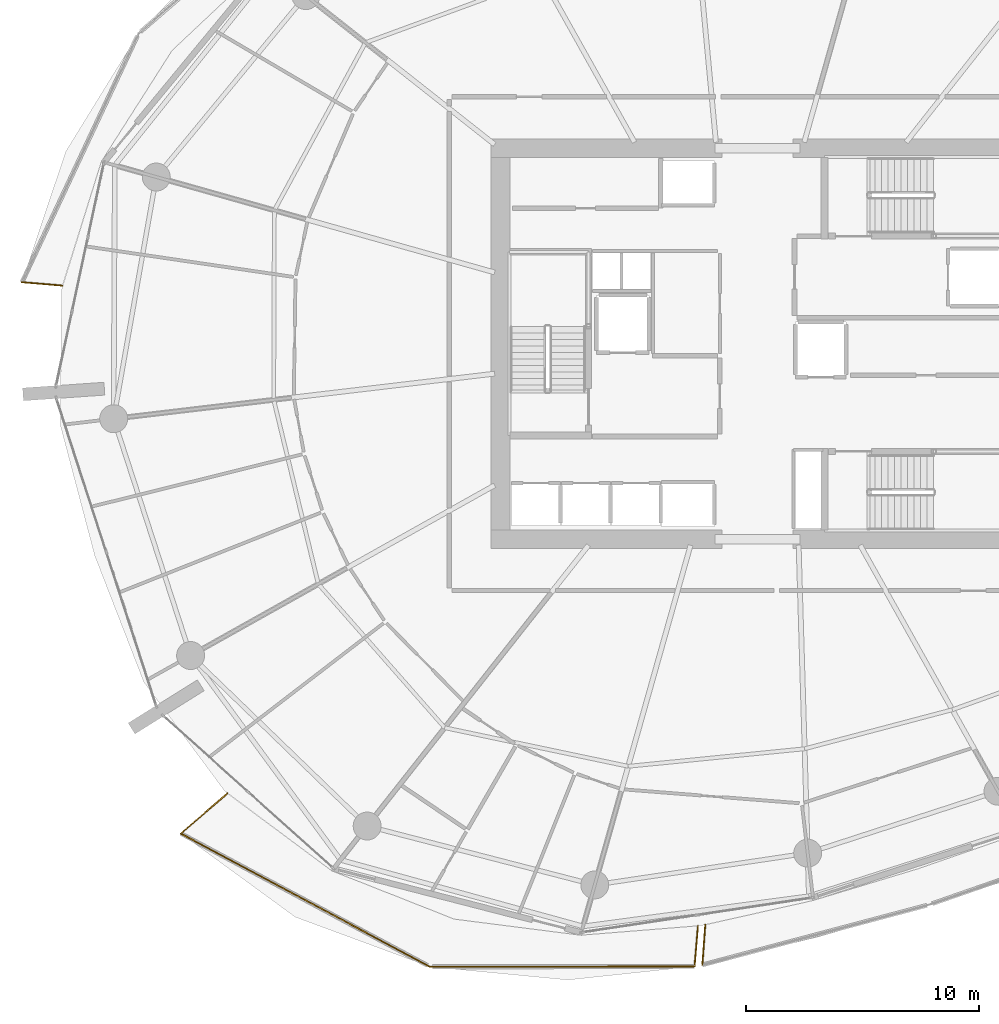
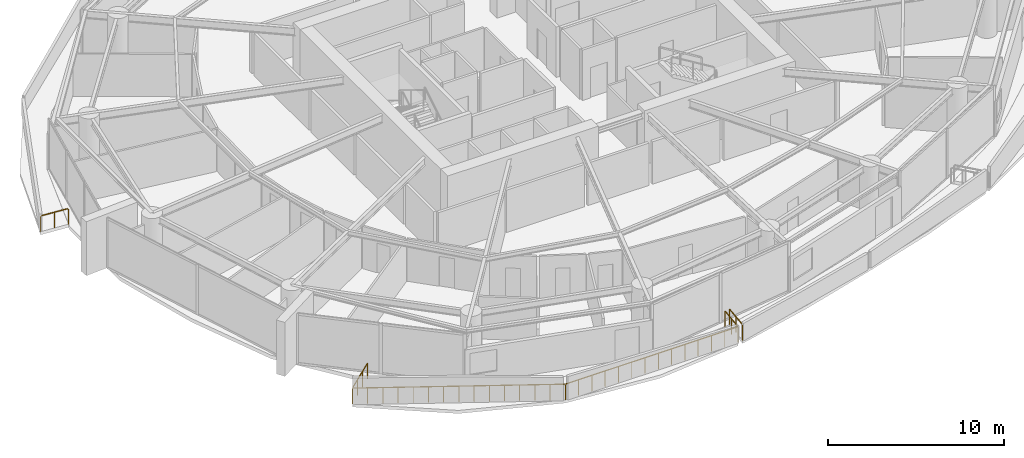
# One storey, part 16 of 22: 6 railings.
"""IFC4 building model written with IfcOpenShell, lengths in metres."""

from ifc_helpers import new_model, si_unit, direction, frame, origin, origin_2d, place, context, subcontext, project, spatial, rectangle, extrude, material, type_object, element, save


model = new_model("IFC4")

# Units and contexts
model_context = context("Model", 3, precision=1e-05, world=origin(), true_north=direction((0.0, 1.0)))
body_context = subcontext(model_context, "Body", "Model", "MODEL_VIEW")
ifc_project = project(units=[si_unit("LENGTHUNIT", "METRE"), si_unit("AREAUNIT", "SQUARE_METRE"), si_unit("VOLUMEUNIT", "CUBIC_METRE"), si_unit("PLANEANGLEUNIT", "RADIAN"), si_unit("MASSUNIT", "GRAM", prefix="KILO")], contexts=[model_context])

# Site, building, storey
site_placement = place(None, origin())
site = spatial("IfcSite", under=ifc_project, at=site_placement, CompositionType="ELEMENT")
building_placement = place(site_placement, origin())
building = spatial("IfcBuilding", under=site, at=building_placement, Name="Kazma Halo Residences", CompositionType="ELEMENT")
storey_placement = place(building_placement, frame((0.0, 0.0, 90.14990234375)))
storey = spatial("IfcBuildingStorey", under=building, at=storey_placement, Name="L22", CompositionType="ELEMENT", Elevation=90.14990234375)

# Railings
ifc_material = material(Name="Aluminium AW-6063 T6 Brushed Cap Rail", Category="aluminium")
railing_type = type_object("IfcRailingType", Name="RLG-BAL-CAP-1120", PredefinedType="BALUSTRADE", material=ifc_material)
railing_1_placement = place(storey_placement, frame((16.853759765625, 44.642822265625, 0.0)))
element("IfcRailing", 1, at=railing_1_placement, inside=storey, type_object=railing_type, Name="L22 NW wave balcony guard 4", PredefinedType="BALUSTRADE", context=body_context, shape_type="SweptSolid", body=[
    extrude(rectangle(XDim=0.050048828125, YDim=0.050048828125, at=origin_2d()), frame((0.04248046875, -0.003662109375, 1.09521484375), z_axis=(0.996414330449, -0.084607813322, 0.0), x_axis=(0.084607813322, 0.996414330449, 0.0)), (0.0, 0.0, 1.0), 1.66064453125),
    extrude(rectangle(XDim=0.0400390625, YDim=0.0400390625, at=origin_2d()), origin(), (0.0, 0.0, 1.0), 1.05810546875),
    extrude(rectangle(XDim=0.0400390625, YDim=0.0400390625, at=origin_2d()), frame((0.86962890625, -0.07373046875, 0.0)), (0.0, 0.0, 1.0), 1.05810546875),
    extrude(rectangle(XDim=0.0400390625, YDim=0.0400390625, at=origin_2d()), frame((1.739501953125, -0.147705078125, 0.0)), (0.0, 0.0, 1.0), 1.05810546875),
])
railing_2_placement = place(storey_placement, frame((25.676025390625, 22.696533203125, 0.0)))
element("IfcRailing", 2, at=railing_2_placement, inside=storey, type_object=railing_type, Name="L22 SW wave balcony guard 1", PredefinedType="BALUSTRADE", context=body_context, shape_type="SweptSolid", body=[
    extrude(rectangle(XDim=0.050048828125, YDim=0.050048828125, at=origin_2d()), frame((-0.0322265625, -0.02783203125, 1.09521484375), z_axis=(-0.756396561771, -0.65411332454, 0.0), x_axis=(0.65411332454, -0.756396561771, 0.0)), (0.0, 0.0, 1.0), 2.554931640625),
    extrude(rectangle(XDim=0.0400390625, YDim=0.0400390625, at=origin_2d()), origin(), (0.0, 0.0, 1.0), 1.05810546875),
    extrude(rectangle(XDim=0.0400390625, YDim=0.0400390625, at=origin_2d()), frame((-0.66552734375, -0.57568359375, 0.0)), (0.0, 0.0, 1.0), 1.05810546875),
    extrude(rectangle(XDim=0.0400390625, YDim=0.0400390625, at=origin_2d()), frame((-1.331298828125, -1.151123046875, 0.0)), (0.0, 0.0, 1.0), 1.05810546875),
    extrude(rectangle(XDim=0.0400390625, YDim=0.0400390625, at=origin_2d()), frame((-1.996826171875, -1.726806640625, 0.0)), (0.0, 0.0, 1.0), 1.05810546875),
])
railing_3_placement = place(storey_placement, frame((23.67919921875, 20.9697265625, 0.0)))
element("IfcRailing", 3, at=railing_3_placement, inside=storey, type_object=railing_type, Name="L22 SW wave balcony guard 2", PredefinedType="BALUSTRADE", context=body_context, shape_type="SweptSolid", body=[
    extrude(rectangle(XDim=0.050048828125, YDim=0.050048828125, at=origin_2d()), frame((0.03759765625, -0.02001953125, 1.09521484375), z_axis=(0.881760296775, -0.471697762377, 0.0), x_axis=(0.471697762377, 0.881760296775, 0.0)), (0.0, 0.0, 1.0), 12.039794921875),
    extrude(rectangle(XDim=0.0400390625, YDim=0.0400390625, at=origin_2d()), origin(), (0.0, 0.0, 1.0), 1.05810546875),
    extrude(rectangle(XDim=0.0400390625, YDim=0.0400390625, at=origin_2d()), frame((0.763671875, -0.408447265625, 0.0)), (0.0, 0.0, 1.0), 1.05810546875),
    extrude(rectangle(XDim=0.0400390625, YDim=0.0400390625, at=origin_2d()), frame((1.52734375, -0.817138671875, 0.0)), (0.0, 0.0, 1.0), 1.05810546875),
    extrude(rectangle(XDim=0.0400390625, YDim=0.0400390625, at=origin_2d()), frame((2.291015625, -1.2255859375, 0.0)), (0.0, 0.0, 1.0), 1.05810546875),
    extrude(rectangle(XDim=0.0400390625, YDim=0.0400390625, at=origin_2d()), frame((3.0546875, -1.634033203125, 0.0)), (0.0, 0.0, 1.0), 1.05810546875),
    extrude(rectangle(XDim=0.0400390625, YDim=0.0400390625, at=origin_2d()), frame((3.818359375, -2.04248046875, 0.0)), (0.0, 0.0, 1.0), 1.05810546875),
    extrude(rectangle(XDim=0.0400390625, YDim=0.0400390625, at=origin_2d()), frame((4.58203125, -2.451171875, 0.0)), (0.0, 0.0, 1.0), 1.05810546875),
    extrude(rectangle(XDim=0.0400390625, YDim=0.0400390625, at=origin_2d()), frame((5.345703125, -2.859619140625, 0.0)), (0.0, 0.0, 1.0), 1.05810546875),
    extrude(rectangle(XDim=0.0400390625, YDim=0.0400390625, at=origin_2d()), frame((6.109130859375, -3.26806640625, 0.0)), (0.0, 0.0, 1.0), 1.05810546875),
    extrude(rectangle(XDim=0.0400390625, YDim=0.0400390625, at=origin_2d()), frame((6.872802734375, -3.6767578125, 0.0)), (0.0, 0.0, 1.0), 1.05810546875),
    extrude(rectangle(XDim=0.0400390625, YDim=0.0400390625, at=origin_2d()), frame((7.636474609375, -4.085205078125, 0.0)), (0.0, 0.0, 1.0), 1.05810546875),
    extrude(rectangle(XDim=0.0400390625, YDim=0.0400390625, at=origin_2d()), frame((8.400146484375, -4.49365234375, 0.0)), (0.0, 0.0, 1.0), 1.05810546875),
    extrude(rectangle(XDim=0.0400390625, YDim=0.0400390625, at=origin_2d()), frame((9.163818359375, -4.902099609375, 0.0)), (0.0, 0.0, 1.0), 1.05810546875),
    extrude(rectangle(XDim=0.0400390625, YDim=0.0400390625, at=origin_2d()), frame((9.927490234375, -5.310791015625, 0.0)), (0.0, 0.0, 1.0), 1.05810546875),
    extrude(rectangle(XDim=0.0400390625, YDim=0.0400390625, at=origin_2d()), frame((10.691162109375, -5.71923828125, 0.0)), (0.0, 0.0, 1.0), 1.05810546875),
])
railing_4_placement = place(storey_placement, frame((34.370361328125, 15.25048828125, 0.0)))
element("IfcRailing", 4, at=railing_4_placement, inside=storey, type_object=railing_type, Name="L22 SW wave balcony guard 3", PredefinedType="BALUSTRADE", context=body_context, shape_type="SweptSolid", body=[
    extrude(rectangle(XDim=0.050048828125, YDim=0.050048828125, at=origin_2d()), frame((0.04248046875, 0.0, 1.09521484375), z_axis=(0.999999196263, 0.00126786188, 0.0), x_axis=(-0.00126786188, 0.999999196263, 0.0)), (0.0, 0.0, 1.0), 11.276123046875),
    extrude(rectangle(XDim=0.0400390625, YDim=0.0400390625, at=origin_2d()), origin(), (0.0, 0.0, 1.0), 1.05810546875),
    extrude(rectangle(XDim=0.0400390625, YDim=0.0400390625, at=origin_2d()), frame((0.8740234375, 0.001220703125, 0.0)), (0.0, 0.0, 1.0), 1.05810546875),
    extrude(rectangle(XDim=0.0400390625, YDim=0.0400390625, at=origin_2d()), frame((1.747802734375, 0.002197265625, 0.0)), (0.0, 0.0, 1.0), 1.05810546875),
    extrude(rectangle(XDim=0.0400390625, YDim=0.0400390625, at=origin_2d()), frame((2.621826171875, 0.00341796875, 0.0)), (0.0, 0.0, 1.0), 1.05810546875),
    extrude(rectangle(XDim=0.0400390625, YDim=0.0400390625, at=origin_2d()), frame((3.49560546875, 0.00439453125, 0.0)), (0.0, 0.0, 1.0), 1.05810546875),
    extrude(rectangle(XDim=0.0400390625, YDim=0.0400390625, at=origin_2d()), frame((4.36962890625, 0.005615234375, 0.0)), (0.0, 0.0, 1.0), 1.05810546875),
    extrude(rectangle(XDim=0.0400390625, YDim=0.0400390625, at=origin_2d()), frame((5.24365234375, 0.006591796875, 0.0)), (0.0, 0.0, 1.0), 1.05810546875),
    extrude(rectangle(XDim=0.0400390625, YDim=0.0400390625, at=origin_2d()), frame((6.117431640625, 0.0078125, 0.0)), (0.0, 0.0, 1.0), 1.05810546875),
    extrude(rectangle(XDim=0.0400390625, YDim=0.0400390625, at=origin_2d()), frame((6.991455078125, 0.0087890625, 0.0)), (0.0, 0.0, 1.0), 1.05810546875),
    extrude(rectangle(XDim=0.0400390625, YDim=0.0400390625, at=origin_2d()), frame((7.865478515625, 0.010009765625, 0.0)), (0.0, 0.0, 1.0), 1.05810546875),
    extrude(rectangle(XDim=0.0400390625, YDim=0.0400390625, at=origin_2d()), frame((8.7392578125, 0.010986328125, 0.0)), (0.0, 0.0, 1.0), 1.05810546875),
    extrude(rectangle(XDim=0.0400390625, YDim=0.0400390625, at=origin_2d()), frame((9.61328125, 0.01220703125, 0.0)), (0.0, 0.0, 1.0), 1.05810546875),
    extrude(rectangle(XDim=0.0400390625, YDim=0.0400390625, at=origin_2d()), frame((10.487060546875, 0.01318359375, 0.0)), (0.0, 0.0, 1.0), 1.05810546875),
    extrude(rectangle(XDim=0.0400390625, YDim=0.0400390625, at=origin_2d()), frame((11.361083984375, 0.014404296875, 0.0)), (0.0, 0.0, 1.0), 1.05810546875),
])
railing_5_placement = place(storey_placement, frame((45.7314453125, 15.264892578125, 0.0)))
element("IfcRailing", 5, at=railing_5_placement, inside=storey, type_object=railing_type, Name="L22 SW wave balcony guard 4", PredefinedType="BALUSTRADE", context=body_context, shape_type="SweptSolid", body=[
    extrude(rectangle(XDim=0.050048828125, YDim=0.050048828125, at=origin_2d()), frame((0.003662109375, 0.04248046875, 1.09521484375), z_axis=(0.084593419007, 0.996415552599, 0.0), x_axis=(-0.996415552599, 0.084593419007, 0.0)), (0.0, 0.0, 1.0), 1.663818359375),
    extrude(rectangle(XDim=0.0400390625, YDim=0.0400390625, at=origin_2d()), origin(), (0.0, 0.0, 1.0), 1.05810546875),
    extrude(rectangle(XDim=0.0400390625, YDim=0.0400390625, at=origin_2d()), frame((0.073974609375, 0.871337890625, 0.0)), (0.0, 0.0, 1.0), 1.05810546875),
    extrude(rectangle(XDim=0.0400390625, YDim=0.0400390625, at=origin_2d()), frame((0.14794921875, 1.74267578125, 0.0)), (0.0, 0.0, 1.0), 1.05810546875),
])
railing_6_placement = place(storey_placement, frame((46.18994140625, 17.05419921875, 0.0)))
element("IfcRailing", 6, at=railing_6_placement, inside=storey, type_object=railing_type, Name="L22 SSE wave balcony guard 1", PredefinedType="BALUSTRADE", context=body_context, shape_type="SweptSolid", body=[
    extrude(rectangle(XDim=0.050048828125, YDim=0.050048828125, at=origin_2d()), frame((-0.003173828125, -0.04248046875, 1.09521484375), z_axis=(-0.072359669561, -0.99737860325, 0.0), x_axis=(0.99737860325, -0.072359669561, 0.0)), (0.0, 0.0, 1.0), 1.645751953125),
    extrude(rectangle(XDim=0.0400390625, YDim=0.0400390625, at=origin_2d()), origin(), (0.0, 0.0, 1.0), 1.05810546875),
    extrude(rectangle(XDim=0.0400390625, YDim=0.0400390625, at=origin_2d()), frame((-0.0625, -0.86328125, 0.0)), (0.0, 0.0, 1.0), 1.05810546875),
    extrude(rectangle(XDim=0.0400390625, YDim=0.0400390625, at=origin_2d()), frame((-0.125244140625, -1.726318359375, 0.0)), (0.0, 0.0, 1.0), 1.05810546875),
])

save(model, "model.ifc")
